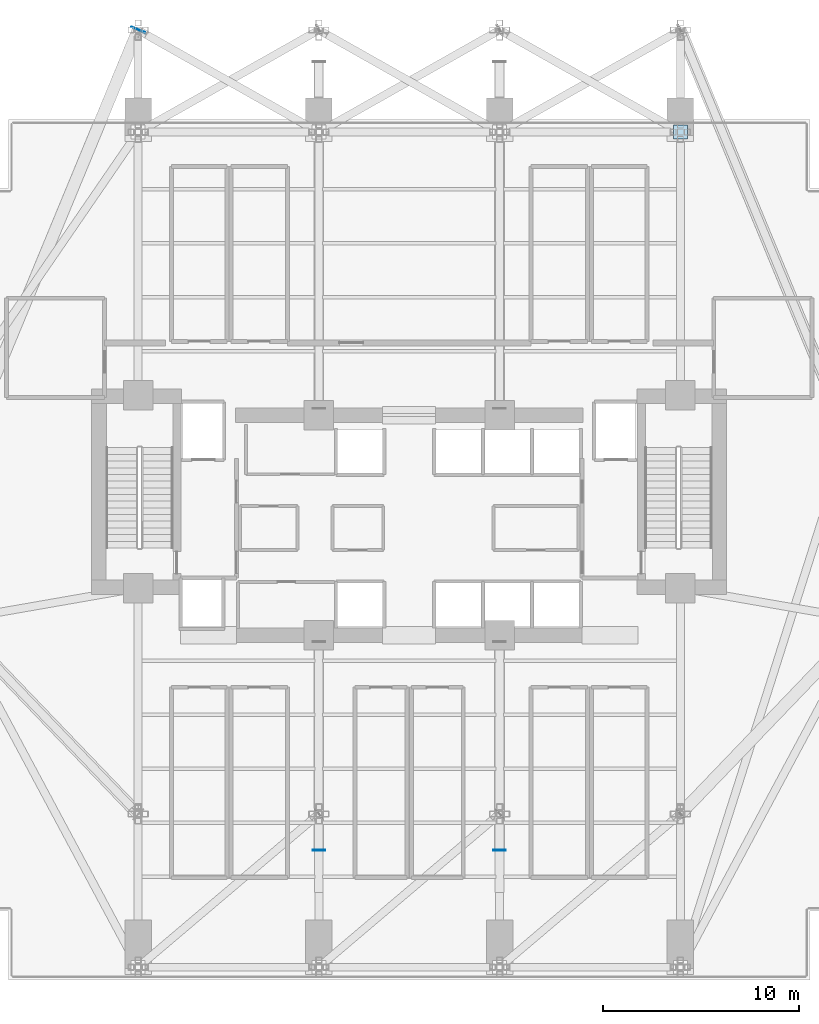
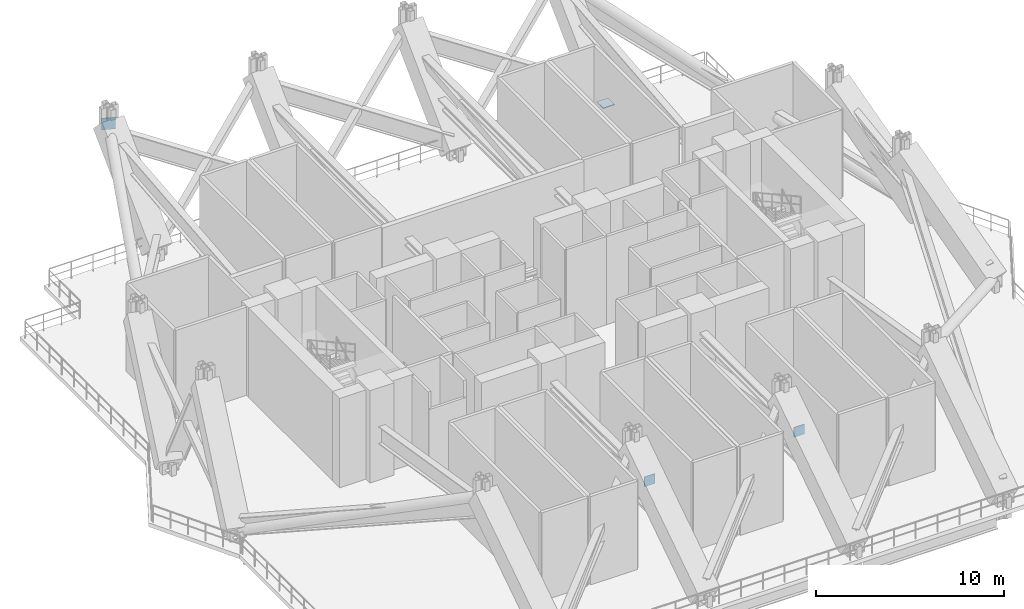
# One storey, part 9 of 18: 4 plates.
"""IFC4 building model written with IfcOpenShell, lengths in metres."""

from ifc_helpers import new_model, si_unit, direction, frame, origin, origin_2d, place, context, subcontext, project, spatial, rectangle, extrude, material, layer, layer_set, type_object, element, save


model = new_model("IFC4")

# Units and contexts
model_context = context("Model", 3, precision=1e-05, world=origin(), true_north=direction((0.0, 1.0)))
body_context = subcontext(model_context, "Body", "Model", "MODEL_VIEW")
ifc_project = project(units=[si_unit("LENGTHUNIT", "METRE"), si_unit("AREAUNIT", "SQUARE_METRE"), si_unit("VOLUMEUNIT", "CUBIC_METRE"), si_unit("PLANEANGLEUNIT", "RADIAN"), si_unit("MASSUNIT", "GRAM", prefix="KILO")], contexts=[model_context])

# Site, building, storey
site_placement = place(None, origin())
site = spatial("IfcSite", under=ifc_project, at=site_placement, CompositionType="ELEMENT")
building_placement = place(site_placement, origin())
building = spatial("IfcBuilding", under=site, at=building_placement, Name="Zuhayl Quay Hotel", CompositionType="ELEMENT")
storey_placement = place(building_placement, frame((0.0, 0.0, 162.199951171875)))
storey = spatial("IfcBuildingStorey", under=building, at=storey_placement, Name="L41", CompositionType="ELEMENT", Elevation=162.199951171875)

# Plates
ifc_material = material(Name="Steel ASTM A572 Grade 50", Category="steel")
ifc_layer = layer(ifc_material, 0.0400390625, Name="Steel ASTM A572 Grade 50", Category="steel")
ifc_layer_set = layer_set([ifc_layer], Name="Steel ASTM A572 Grade 50")
plate_type = type_object("IfcPlateType", Name="TP_CAP_PLATE_40", PredefinedType="USERDEFINED", material=ifc_layer_set)
plate_1_placement = place(storey_placement, frame((13.800048828125, 27.75, 0.24609375), z_axis=(0.0, 0.0, 1.0), x_axis=(1.0, 0.0, 0.0)))
element("IfcPlate", 1, at=plate_1_placement, inside=storey, type_object=plate_type, Name="Truss Node Cap Assembly KN1", ObjectType="GUSSET PLATE", PredefinedType="USERDEFINED", context=body_context, shape_type="SweptSolid", body=[
    extrude(rectangle(XDim=0.708984375, YDim=0.708984375, at=origin_2d()), origin(), (0.0, 0.0, 1.0), 0.0400390625),
])
for number, where, z_axis, x_axis, name in (
    (2, (-4.60009765625, -8.794921875, 4.03271484375), (0.0, 0.0, 1.0), (0.0, -1.0, 0.0), "Truss Node Cap Assembly KN1"),
    (3, (4.60009765625, -8.794921875, 4.03271484375), (0.0, 0.0, 1.0), (0.0, -1.0, 0.0), "Truss Node Cap Assembly KN1"),
):
    element("IfcPlate", number, at=place(storey_placement, frame(where, z_axis=z_axis, x_axis=x_axis)), inside=storey, type_object=plate_type, Name=name, ObjectType="GUSSET PLATE", PredefinedType="USERDEFINED", context=body_context, shape_type="SweptSolid", body=[
        extrude(rectangle(XDim=0.0400390625, YDim=0.639892578125, at=origin_2d()), origin(), (0.0, 0.0, 1.0), 0.639892578125),
    ])
plate_2_placement = place(storey_placement, frame((-13.7939453125, 32.964599609375, 5.078125), z_axis=(0.0, 0.0, 1.0), x_axis=(0.382199637738, 0.924079778435, 0.0)))
element("IfcPlate", 4, at=plate_2_placement, inside=storey, type_object=plate_type, Name="Truss Node Cap Assembly KN1", ObjectType="GUSSET PLATE", PredefinedType="USERDEFINED", context=body_context, shape_type="SweptSolid", body=[
    extrude(rectangle(XDim=0.0400390625, YDim=0.75, at=origin_2d()), origin(), (0.0, 0.0, 1.0), 0.75),
])

save(model, "model.ifc")
